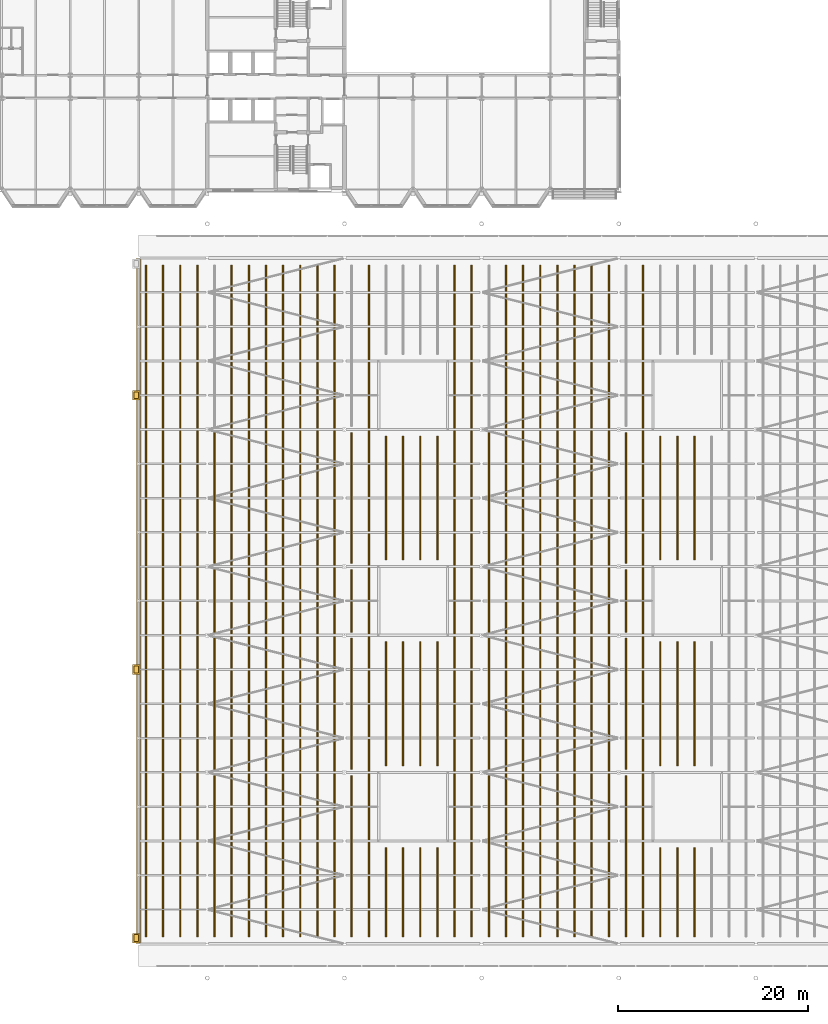
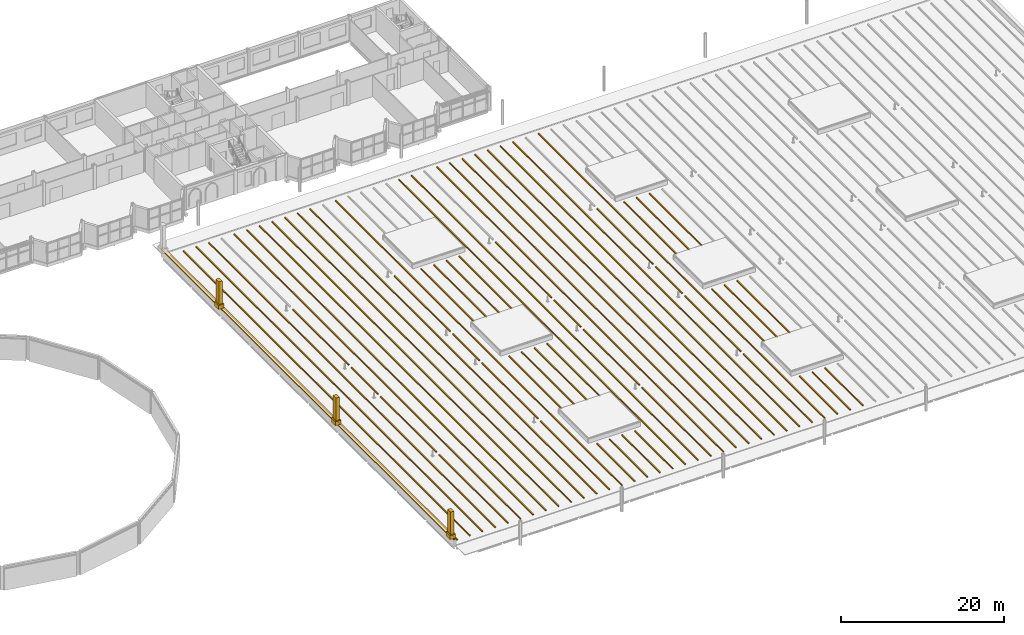
# One storey, part 112 of 120: 66 coverings.
"""IFC4 building model written with IfcOpenShell, lengths in metres."""

from ifc_helpers import new_model, si_unit, direction, frame, origin, origin_2d, place, context, subcontext, project, spatial, rectangle, extrude, material, layer, layer_set, type_object, element, save


model = new_model("IFC4")

# Units and contexts
model_context = context("Model", 3, precision=1e-05, world=origin(), true_north=direction((0.0, 1.0)))
body_context = subcontext(model_context, "Body", "Model", "MODEL_VIEW")
ifc_project = project(units=[si_unit("LENGTHUNIT", "METRE"), si_unit("AREAUNIT", "SQUARE_METRE"), si_unit("VOLUMEUNIT", "CUBIC_METRE"), si_unit("PLANEANGLEUNIT", "RADIAN"), si_unit("MASSUNIT", "GRAM", prefix="KILO")], contexts=[model_context])

# Site, building, storey
site_placement = place(None, origin())
site = spatial("IfcSite", under=ifc_project, at=site_placement, CompositionType="ELEMENT")
building_placement = place(site_placement, origin())
building = spatial("IfcBuilding", under=site, at=building_placement, Name="Kupolbacken Congress Centre", CompositionType="ELEMENT")
storey_placement = place(building_placement, frame((0.0, 0.0, 21.60009765625)))
storey = spatial("IfcBuildingStorey", under=building, at=storey_placement, Name="L06", CompositionType="ELEMENT", Elevation=21.60009765625)

# Coverings
ifc_material_1 = material(Name="Limestone cladding", Category="masonry")
ifc_layer_1 = layer(ifc_material_1, 0.14990234375)
ifc_layer_set_1 = layer_set([ifc_layer_1], Name="Limestone cladding")
covering_type_1 = type_object("IfcCoveringType", Name="CV11 limestone parapet coping 150", PredefinedType="CLADDING", material=ifc_layer_set_1)
covering_1_placement = place(storey_placement, frame((86.39990234375, 79.199951171875, 1.099853515625), z_axis=(0.0, 0.0, 1.0), x_axis=(0.0, 1.0, 0.0)))
element("IfcCovering", 1, at=covering_1_placement, inside=storey, type_object=covering_type_1, Name="F/HR/coping/W", PredefinedType="CLADDING", context=body_context, shape_type="SweptSolid", body=[
    extrude(rectangle(XDim=72.0, YDim=0.5, at=origin_2d()), origin(), (0.0, 0.0, 1.0), 0.14990234375),
])
ifc_material_2 = material(Name="Standing seam zinc roofing on boarding", Category="metal")
ifc_layer_2 = layer(ifc_material_2, 0.080078125)
ifc_layer_set_2 = layer_set([ifc_layer_2], Name="Standing seam zinc roofing on boarding")
covering_type_2 = type_object("IfcCoveringType", Name="CV12 standing seam roof rib 80", PredefinedType="ROOFING", material=ifc_layer_set_2)
for number, where, z_axis, x_axis, name in (
    (2, (87.159912109375, 79.199951171875, 0.27001953125), (0.0, 0.0, 1.0), (0.0, 1.0, 0.0), "F/HR/rib/00/0"),
    (3, (88.9599609375, 79.199951171875, 0.27001953125), (0.0, 0.0, 1.0), (0.0, 1.0, 0.0), "F/HR/rib/01/0"),
    (4, (90.760009765625, 79.199951171875, 0.27001953125), (0.0, 0.0, 1.0), (0.0, 1.0, 0.0), "F/HR/rib/02/0"),
    (5, (92.56005859375, 79.199951171875, 0.27001953125), (0.0, 0.0, 1.0), (0.0, 1.0, 0.0), "F/HR/rib/03/0"),
):
    element("IfcCovering", number, at=place(storey_placement, frame(where, z_axis=z_axis, x_axis=x_axis)), inside=storey, type_object=covering_type_2, Name=name, PredefinedType="ROOFING", context=body_context, shape_type="SweptSolid", body=[
        extrude(rectangle(XDim=70.47998046875, YDim=0.14990234375, at=origin_2d()), origin(), (0.0, 0.0, 1.0), 0.14990234375),
    ])
covering_2_placement = place(storey_placement, frame((94.360107421875, 52.41455078125, 0.27001953125), z_axis=(0.0, 0.0, 1.0), x_axis=(0.0, 1.0, 0.0)))
element("IfcCovering", 6, at=covering_2_placement, inside=storey, type_object=covering_type_2, Name="F/HR/rib/04/0", PredefinedType="ROOFING", context=body_context, shape_type="SweptSolid", body=[
    extrude(rectangle(XDim=16.9091796875, YDim=0.14990234375, at=origin_2d()), origin(), (0.0, 0.0, 1.0), 0.14990234375),
])
covering_3_placement = place(storey_placement, frame((94.360107421875, 68.39990234375, 0.27001953125), z_axis=(0.0, 0.0, 1.0), x_axis=(0.0, 1.0, 0.0)))
element("IfcCovering", 7, at=covering_3_placement, inside=storey, type_object=covering_type_2, Name="F/HR/rib/04/1", PredefinedType="ROOFING", context=body_context, shape_type="SweptSolid", body=[
    extrude(rectangle(XDim=13.73828125, YDim=0.14990234375, at=origin_2d()), origin(), (0.0, 0.0, 1.0), 0.14990234375),
])
covering_4_placement = place(storey_placement, frame((94.360107421875, 79.199951171875, 0.27001953125), z_axis=(0.0, 0.0, 1.0), x_axis=(0.0, 1.0, 0.0)))
element("IfcCovering", 8, at=covering_4_placement, inside=storey, type_object=covering_type_2, Name="F/HR/rib/04/2", PredefinedType="ROOFING", context=body_context, shape_type="SweptSolid", body=[
    extrude(rectangle(XDim=6.538330078125, YDim=0.14990234375, at=origin_2d()), origin(), (0.0, 0.0, 1.0), 0.14990234375),
])
covering_5_placement = place(storey_placement, frame((94.360107421875, 90.0, 0.27001953125), z_axis=(0.0, 0.0, 1.0), x_axis=(0.0, 1.0, 0.0)))
element("IfcCovering", 9, at=covering_5_placement, inside=storey, type_object=covering_type_2, Name="F/HR/rib/04/3", PredefinedType="ROOFING", context=body_context, shape_type="SweptSolid", body=[
    extrude(rectangle(XDim=13.73828125, YDim=0.14990234375, at=origin_2d()), origin(), (0.0, 0.0, 1.0), 0.14990234375),
])
for number, where, z_axis, x_axis, name in (
    (10, (96.159912109375, 79.199951171875, 0.27001953125), (0.0, 0.0, 1.0), (0.0, 1.0, 0.0), "F/HR/rib/05/0"),
    (11, (97.9599609375, 79.199951171875, 0.27001953125), (0.0, 0.0, 1.0), (0.0, 1.0, 0.0), "F/HR/rib/06/0"),
    (12, (99.760009765625, 79.199951171875, 0.27001953125), (0.0, 0.0, 1.0), (0.0, 1.0, 0.0), "F/HR/rib/07/0"),
    (13, (101.56005859375, 79.199951171875, 0.27001953125), (0.0, 0.0, 1.0), (0.0, 1.0, 0.0), "F/HR/rib/08/0"),
    (14, (103.360107421875, 79.199951171875, 0.27001953125), (0.0, 0.0, 1.0), (0.0, 1.0, 0.0), "F/HR/rib/09/0"),
    (15, (105.159912109375, 79.199951171875, 0.27001953125), (0.0, 0.0, 1.0), (0.0, 1.0, 0.0), "F/HR/rib/10/0"),
    (16, (106.9599609375, 79.199951171875, 0.27001953125), (0.0, 0.0, 1.0), (0.0, 1.0, 0.0), "F/HR/rib/11/0"),
):
    element("IfcCovering", number, at=place(storey_placement, frame(where, z_axis=z_axis, x_axis=x_axis)), inside=storey, type_object=covering_type_2, Name=name, PredefinedType="ROOFING", context=body_context, shape_type="SweptSolid", body=[
        extrude(rectangle(XDim=70.47998046875, YDim=0.14990234375, at=origin_2d()), origin(), (0.0, 0.0, 1.0), 0.14990234375),
    ])
covering_6_placement = place(storey_placement, frame((108.760009765625, 52.41455078125, 0.27001953125), z_axis=(0.0, 0.0, 1.0), x_axis=(0.0, 1.0, 0.0)))
element("IfcCovering", 17, at=covering_6_placement, inside=storey, type_object=covering_type_2, Name="F/HR/rib/12/0", PredefinedType="ROOFING", context=body_context, shape_type="SweptSolid", body=[
    extrude(rectangle(XDim=16.9091796875, YDim=0.14990234375, at=origin_2d()), origin(), (0.0, 0.0, 1.0), 0.14990234375),
])
covering_7_placement = place(storey_placement, frame((108.760009765625, 68.39990234375, 0.27001953125), z_axis=(0.0, 0.0, 1.0), x_axis=(0.0, 1.0, 0.0)))
element("IfcCovering", 18, at=covering_7_placement, inside=storey, type_object=covering_type_2, Name="F/HR/rib/12/1", PredefinedType="ROOFING", context=body_context, shape_type="SweptSolid", body=[
    extrude(rectangle(XDim=13.73828125, YDim=0.14990234375, at=origin_2d()), origin(), (0.0, 0.0, 1.0), 0.14990234375),
])
covering_8_placement = place(storey_placement, frame((108.760009765625, 79.199951171875, 0.27001953125), z_axis=(0.0, 0.0, 1.0), x_axis=(0.0, 1.0, 0.0)))
element("IfcCovering", 19, at=covering_8_placement, inside=storey, type_object=covering_type_2, Name="F/HR/rib/12/2", PredefinedType="ROOFING", context=body_context, shape_type="SweptSolid", body=[
    extrude(rectangle(XDim=6.538330078125, YDim=0.14990234375, at=origin_2d()), origin(), (0.0, 0.0, 1.0), 0.14990234375),
])
covering_9_placement = place(storey_placement, frame((108.760009765625, 90.0, 0.27001953125), z_axis=(0.0, 0.0, 1.0), x_axis=(0.0, 1.0, 0.0)))
element("IfcCovering", 20, at=covering_9_placement, inside=storey, type_object=covering_type_2, Name="F/HR/rib/12/3", PredefinedType="ROOFING", context=body_context, shape_type="SweptSolid", body=[
    extrude(rectangle(XDim=13.73828125, YDim=0.14990234375, at=origin_2d()), origin(), (0.0, 0.0, 1.0), 0.14990234375),
])
covering_10_placement = place(storey_placement, frame((110.56005859375, 79.199951171875, 0.27001953125), z_axis=(0.0, 0.0, 1.0), x_axis=(0.0, 1.0, 0.0)))
element("IfcCovering", 21, at=covering_10_placement, inside=storey, type_object=covering_type_2, Name="F/HR/rib/13/0", PredefinedType="ROOFING", context=body_context, shape_type="SweptSolid", body=[
    extrude(rectangle(XDim=70.47998046875, YDim=0.14990234375, at=origin_2d()), origin(), (0.0, 0.0, 1.0), 0.14990234375),
])
covering_11_placement = place(storey_placement, frame((112.360107421875, 48.625, 0.27001953125), z_axis=(0.0, 0.0, 1.0), x_axis=(0.0, 1.0, 0.0)))
element("IfcCovering", 22, at=covering_11_placement, inside=storey, type_object=covering_type_2, Name="F/HR/rib/14/0", PredefinedType="ROOFING", context=body_context, shape_type="SweptSolid", body=[
    extrude(rectangle(XDim=9.330078125, YDim=0.14990234375, at=origin_2d()), origin(), (0.0, 0.0, 1.0), 0.14990234375),
])
for number, where, z_axis, x_axis, name in (
    (23, (112.360107421875, 68.39990234375, 0.27001953125), (0.0, 0.0, 1.0), (0.0, 1.0, 0.0), "F/HR/rib/14/1"),
    (24, (112.360107421875, 90.0, 0.27001953125), (0.0, 0.0, 1.0), (0.0, 1.0, 0.0), "F/HR/rib/14/2"),
):
    element("IfcCovering", number, at=place(storey_placement, frame(where, z_axis=z_axis, x_axis=x_axis)), inside=storey, type_object=covering_type_2, Name=name, PredefinedType="ROOFING", context=body_context, shape_type="SweptSolid", body=[
        extrude(rectangle(XDim=12.97998046875, YDim=0.14990234375, at=origin_2d()), origin(), (0.0, 0.0, 1.0), 0.14990234375),
    ])
covering_12_placement = place(storey_placement, frame((114.159912109375, 48.625, 0.27001953125), z_axis=(0.0, 0.0, 1.0), x_axis=(0.0, 1.0, 0.0)))
element("IfcCovering", 25, at=covering_12_placement, inside=storey, type_object=covering_type_2, Name="F/HR/rib/15/0", PredefinedType="ROOFING", context=body_context, shape_type="SweptSolid", body=[
    extrude(rectangle(XDim=9.330078125, YDim=0.14990234375, at=origin_2d()), origin(), (0.0, 0.0, 1.0), 0.14990234375),
])
for number, where, z_axis, x_axis, name in (
    (26, (114.159912109375, 68.39990234375, 0.27001953125), (0.0, 0.0, 1.0), (0.0, 1.0, 0.0), "F/HR/rib/15/1"),
    (27, (114.159912109375, 90.0, 0.27001953125), (0.0, 0.0, 1.0), (0.0, 1.0, 0.0), "F/HR/rib/15/2"),
):
    element("IfcCovering", number, at=place(storey_placement, frame(where, z_axis=z_axis, x_axis=x_axis)), inside=storey, type_object=covering_type_2, Name=name, PredefinedType="ROOFING", context=body_context, shape_type="SweptSolid", body=[
        extrude(rectangle(XDim=12.97998046875, YDim=0.14990234375, at=origin_2d()), origin(), (0.0, 0.0, 1.0), 0.14990234375),
    ])
covering_13_placement = place(storey_placement, frame((115.9599609375, 48.625, 0.27001953125), z_axis=(0.0, 0.0, 1.0), x_axis=(0.0, 1.0, 0.0)))
element("IfcCovering", 28, at=covering_13_placement, inside=storey, type_object=covering_type_2, Name="F/HR/rib/16/0", PredefinedType="ROOFING", context=body_context, shape_type="SweptSolid", body=[
    extrude(rectangle(XDim=9.330078125, YDim=0.14990234375, at=origin_2d()), origin(), (0.0, 0.0, 1.0), 0.14990234375),
])
for number, where, z_axis, x_axis, name in (
    (29, (115.9599609375, 68.39990234375, 0.27001953125), (0.0, 0.0, 1.0), (0.0, 1.0, 0.0), "F/HR/rib/16/1"),
    (30, (115.9599609375, 90.0, 0.27001953125), (0.0, 0.0, 1.0), (0.0, 1.0, 0.0), "F/HR/rib/16/2"),
):
    element("IfcCovering", number, at=place(storey_placement, frame(where, z_axis=z_axis, x_axis=x_axis)), inside=storey, type_object=covering_type_2, Name=name, PredefinedType="ROOFING", context=body_context, shape_type="SweptSolid", body=[
        extrude(rectangle(XDim=12.97998046875, YDim=0.14990234375, at=origin_2d()), origin(), (0.0, 0.0, 1.0), 0.14990234375),
    ])
covering_14_placement = place(storey_placement, frame((117.760009765625, 48.625, 0.27001953125), z_axis=(0.0, 0.0, 1.0), x_axis=(0.0, 1.0, 0.0)))
element("IfcCovering", 31, at=covering_14_placement, inside=storey, type_object=covering_type_2, Name="F/HR/rib/17/0", PredefinedType="ROOFING", context=body_context, shape_type="SweptSolid", body=[
    extrude(rectangle(XDim=9.330078125, YDim=0.14990234375, at=origin_2d()), origin(), (0.0, 0.0, 1.0), 0.14990234375),
])
for number, where, z_axis, x_axis, name in (
    (32, (117.760009765625, 68.39990234375, 0.27001953125), (0.0, 0.0, 1.0), (0.0, 1.0, 0.0), "F/HR/rib/17/1"),
    (33, (117.760009765625, 90.0, 0.27001953125), (0.0, 0.0, 1.0), (0.0, 1.0, 0.0), "F/HR/rib/17/2"),
):
    element("IfcCovering", number, at=place(storey_placement, frame(where, z_axis=z_axis, x_axis=x_axis)), inside=storey, type_object=covering_type_2, Name=name, PredefinedType="ROOFING", context=body_context, shape_type="SweptSolid", body=[
        extrude(rectangle(XDim=12.97998046875, YDim=0.14990234375, at=origin_2d()), origin(), (0.0, 0.0, 1.0), 0.14990234375),
    ])
for number, where, z_axis, x_axis, name in (
    (34, (119.56005859375, 79.199951171875, 0.27001953125), (0.0, 0.0, 1.0), (0.0, 1.0, 0.0), "F/HR/rib/18/0"),
    (35, (121.360107421875, 79.199951171875, 0.27001953125), (0.0, 0.0, 1.0), (0.0, 1.0, 0.0), "F/HR/rib/19/0"),
):
    element("IfcCovering", number, at=place(storey_placement, frame(where, z_axis=z_axis, x_axis=x_axis)), inside=storey, type_object=covering_type_2, Name=name, PredefinedType="ROOFING", context=body_context, shape_type="SweptSolid", body=[
        extrude(rectangle(XDim=70.47998046875, YDim=0.14990234375, at=origin_2d()), origin(), (0.0, 0.0, 1.0), 0.14990234375),
    ])
covering_15_placement = place(storey_placement, frame((123.159912109375, 52.41455078125, 0.27001953125), z_axis=(0.0, 0.0, 1.0), x_axis=(0.0, 1.0, 0.0)))
element("IfcCovering", 36, at=covering_15_placement, inside=storey, type_object=covering_type_2, Name="F/HR/rib/20/0", PredefinedType="ROOFING", context=body_context, shape_type="SweptSolid", body=[
    extrude(rectangle(XDim=16.9091796875, YDim=0.14990234375, at=origin_2d()), origin(), (0.0, 0.0, 1.0), 0.14990234375),
])
covering_16_placement = place(storey_placement, frame((123.159912109375, 68.39990234375, 0.27001953125), z_axis=(0.0, 0.0, 1.0), x_axis=(0.0, 1.0, 0.0)))
element("IfcCovering", 37, at=covering_16_placement, inside=storey, type_object=covering_type_2, Name="F/HR/rib/20/1", PredefinedType="ROOFING", context=body_context, shape_type="SweptSolid", body=[
    extrude(rectangle(XDim=13.73828125, YDim=0.14990234375, at=origin_2d()), origin(), (0.0, 0.0, 1.0), 0.14990234375),
])
covering_17_placement = place(storey_placement, frame((123.159912109375, 79.199951171875, 0.27001953125), z_axis=(0.0, 0.0, 1.0), x_axis=(0.0, 1.0, 0.0)))
element("IfcCovering", 38, at=covering_17_placement, inside=storey, type_object=covering_type_2, Name="F/HR/rib/20/2", PredefinedType="ROOFING", context=body_context, shape_type="SweptSolid", body=[
    extrude(rectangle(XDim=6.538330078125, YDim=0.14990234375, at=origin_2d()), origin(), (0.0, 0.0, 1.0), 0.14990234375),
])
covering_18_placement = place(storey_placement, frame((123.159912109375, 90.0, 0.27001953125), z_axis=(0.0, 0.0, 1.0), x_axis=(0.0, 1.0, 0.0)))
element("IfcCovering", 39, at=covering_18_placement, inside=storey, type_object=covering_type_2, Name="F/HR/rib/20/3", PredefinedType="ROOFING", context=body_context, shape_type="SweptSolid", body=[
    extrude(rectangle(XDim=13.73828125, YDim=0.14990234375, at=origin_2d()), origin(), (0.0, 0.0, 1.0), 0.14990234375),
])
for number, where, z_axis, x_axis, name in (
    (40, (124.9599609375, 79.199951171875, 0.27001953125), (0.0, 0.0, 1.0), (0.0, 1.0, 0.0), "F/HR/rib/21/0"),
    (41, (126.760009765625, 79.199951171875, 0.27001953125), (0.0, 0.0, 1.0), (0.0, 1.0, 0.0), "F/HR/rib/22/0"),
    (42, (128.56005859375, 79.199951171875, 0.27001953125), (0.0, 0.0, 1.0), (0.0, 1.0, 0.0), "F/HR/rib/23/0"),
    (43, (130.360107421875, 79.199951171875, 0.27001953125), (0.0, 0.0, 1.0), (0.0, 1.0, 0.0), "F/HR/rib/24/0"),
    (44, (132.159912109375, 79.199951171875, 0.27001953125), (0.0, 0.0, 1.0), (0.0, 1.0, 0.0), "F/HR/rib/25/0"),
    (45, (133.9599609375, 79.199951171875, 0.27001953125), (0.0, 0.0, 1.0), (0.0, 1.0, 0.0), "F/HR/rib/26/0"),
    (46, (135.760009765625, 79.199951171875, 0.27001953125), (0.0, 0.0, 1.0), (0.0, 1.0, 0.0), "F/HR/rib/27/0"),
):
    element("IfcCovering", number, at=place(storey_placement, frame(where, z_axis=z_axis, x_axis=x_axis)), inside=storey, type_object=covering_type_2, Name=name, PredefinedType="ROOFING", context=body_context, shape_type="SweptSolid", body=[
        extrude(rectangle(XDim=70.47998046875, YDim=0.14990234375, at=origin_2d()), origin(), (0.0, 0.0, 1.0), 0.14990234375),
    ])
covering_19_placement = place(storey_placement, frame((137.56005859375, 52.41455078125, 0.27001953125), z_axis=(0.0, 0.0, 1.0), x_axis=(0.0, 1.0, 0.0)))
element("IfcCovering", 47, at=covering_19_placement, inside=storey, type_object=covering_type_2, Name="F/HR/rib/28/0", PredefinedType="ROOFING", context=body_context, shape_type="SweptSolid", body=[
    extrude(rectangle(XDim=16.9091796875, YDim=0.14990234375, at=origin_2d()), origin(), (0.0, 0.0, 1.0), 0.14990234375),
])
covering_20_placement = place(storey_placement, frame((137.56005859375, 68.39990234375, 0.27001953125), z_axis=(0.0, 0.0, 1.0), x_axis=(0.0, 1.0, 0.0)))
element("IfcCovering", 48, at=covering_20_placement, inside=storey, type_object=covering_type_2, Name="F/HR/rib/28/1", PredefinedType="ROOFING", context=body_context, shape_type="SweptSolid", body=[
    extrude(rectangle(XDim=13.73828125, YDim=0.14990234375, at=origin_2d()), origin(), (0.0, 0.0, 1.0), 0.14990234375),
])
covering_21_placement = place(storey_placement, frame((137.56005859375, 79.199951171875, 0.27001953125), z_axis=(0.0, 0.0, 1.0), x_axis=(0.0, 1.0, 0.0)))
element("IfcCovering", 49, at=covering_21_placement, inside=storey, type_object=covering_type_2, Name="F/HR/rib/28/2", PredefinedType="ROOFING", context=body_context, shape_type="SweptSolid", body=[
    extrude(rectangle(XDim=6.538330078125, YDim=0.14990234375, at=origin_2d()), origin(), (0.0, 0.0, 1.0), 0.14990234375),
])
covering_22_placement = place(storey_placement, frame((137.56005859375, 90.0, 0.27001953125), z_axis=(0.0, 0.0, 1.0), x_axis=(0.0, 1.0, 0.0)))
element("IfcCovering", 50, at=covering_22_placement, inside=storey, type_object=covering_type_2, Name="F/HR/rib/28/3", PredefinedType="ROOFING", context=body_context, shape_type="SweptSolid", body=[
    extrude(rectangle(XDim=13.73828125, YDim=0.14990234375, at=origin_2d()), origin(), (0.0, 0.0, 1.0), 0.14990234375),
])
covering_23_placement = place(storey_placement, frame((139.360107421875, 79.199951171875, 0.27001953125), z_axis=(0.0, 0.0, 1.0), x_axis=(0.0, 1.0, 0.0)))
element("IfcCovering", 51, at=covering_23_placement, inside=storey, type_object=covering_type_2, Name="F/HR/rib/29/0", PredefinedType="ROOFING", context=body_context, shape_type="SweptSolid", body=[
    extrude(rectangle(XDim=70.47998046875, YDim=0.14990234375, at=origin_2d()), origin(), (0.0, 0.0, 1.0), 0.14990234375),
])
covering_24_placement = place(storey_placement, frame((141.159912109375, 48.625, 0.27001953125), z_axis=(0.0, 0.0, 1.0), x_axis=(0.0, 1.0, 0.0)))
element("IfcCovering", 52, at=covering_24_placement, inside=storey, type_object=covering_type_2, Name="F/HR/rib/30/0", PredefinedType="ROOFING", context=body_context, shape_type="SweptSolid", body=[
    extrude(rectangle(XDim=9.330078125, YDim=0.14990234375, at=origin_2d()), origin(), (0.0, 0.0, 1.0), 0.14990234375),
])
for number, where, z_axis, x_axis, name in (
    (53, (141.159912109375, 68.39990234375, 0.27001953125), (0.0, 0.0, 1.0), (0.0, 1.0, 0.0), "F/HR/rib/30/1"),
    (54, (141.159912109375, 90.0, 0.27001953125), (0.0, 0.0, 1.0), (0.0, 1.0, 0.0), "F/HR/rib/30/2"),
):
    element("IfcCovering", number, at=place(storey_placement, frame(where, z_axis=z_axis, x_axis=x_axis)), inside=storey, type_object=covering_type_2, Name=name, PredefinedType="ROOFING", context=body_context, shape_type="SweptSolid", body=[
        extrude(rectangle(XDim=12.97998046875, YDim=0.14990234375, at=origin_2d()), origin(), (0.0, 0.0, 1.0), 0.14990234375),
    ])
covering_25_placement = place(storey_placement, frame((142.9599609375, 48.625, 0.27001953125), z_axis=(0.0, 0.0, 1.0), x_axis=(0.0, 1.0, 0.0)))
element("IfcCovering", 55, at=covering_25_placement, inside=storey, type_object=covering_type_2, Name="F/HR/rib/31/0", PredefinedType="ROOFING", context=body_context, shape_type="SweptSolid", body=[
    extrude(rectangle(XDim=9.330078125, YDim=0.14990234375, at=origin_2d()), origin(), (0.0, 0.0, 1.0), 0.14990234375),
])
for number, where, z_axis, x_axis, name in (
    (56, (142.9599609375, 68.39990234375, 0.27001953125), (0.0, 0.0, 1.0), (0.0, 1.0, 0.0), "F/HR/rib/31/1"),
    (57, (142.9599609375, 90.0, 0.27001953125), (0.0, 0.0, 1.0), (0.0, 1.0, 0.0), "F/HR/rib/31/2"),
):
    element("IfcCovering", number, at=place(storey_placement, frame(where, z_axis=z_axis, x_axis=x_axis)), inside=storey, type_object=covering_type_2, Name=name, PredefinedType="ROOFING", context=body_context, shape_type="SweptSolid", body=[
        extrude(rectangle(XDim=12.97998046875, YDim=0.14990234375, at=origin_2d()), origin(), (0.0, 0.0, 1.0), 0.14990234375),
    ])
covering_26_placement = place(storey_placement, frame((144.760009765625, 48.625, 0.27001953125), z_axis=(0.0, 0.0, 1.0), x_axis=(0.0, 1.0, 0.0)))
element("IfcCovering", 58, at=covering_26_placement, inside=storey, type_object=covering_type_2, Name="F/HR/rib/32/0", PredefinedType="ROOFING", context=body_context, shape_type="SweptSolid", body=[
    extrude(rectangle(XDim=9.330078125, YDim=0.14990234375, at=origin_2d()), origin(), (0.0, 0.0, 1.0), 0.14990234375),
])
for number, where, z_axis, x_axis, name in (
    (59, (144.760009765625, 68.39990234375, 0.27001953125), (0.0, 0.0, 1.0), (0.0, 1.0, 0.0), "F/HR/rib/32/1"),
    (60, (144.760009765625, 90.0, 0.27001953125), (0.0, 0.0, 1.0), (0.0, 1.0, 0.0), "F/HR/rib/32/2"),
):
    element("IfcCovering", number, at=place(storey_placement, frame(where, z_axis=z_axis, x_axis=x_axis)), inside=storey, type_object=covering_type_2, Name=name, PredefinedType="ROOFING", context=body_context, shape_type="SweptSolid", body=[
        extrude(rectangle(XDim=12.97998046875, YDim=0.14990234375, at=origin_2d()), origin(), (0.0, 0.0, 1.0), 0.14990234375),
    ])
ifc_material_3 = material(Name="Limestone cladding", Category="masonry")
ifc_layer_3 = layer(ifc_material_3, 0.5)
ifc_layer_set_3 = layer_set([ifc_layer_3], Name="Limestone cladding")
covering_type_3 = type_object("IfcCoveringType", Name="CV8 limestone drum pier 500", PredefinedType="CLADDING", material=ifc_layer_set_3)
covering_27_placement = place(storey_placement, frame((86.14990234375, 43.800048828125, 1.249755859375), z_axis=(0.0, 0.0, 1.0), x_axis=(0.0, 1.0, 0.0)))
element("IfcCovering", 61, at=covering_27_placement, inside=storey, type_object=covering_type_3, Name="F/HR/pin/W/00/base", PredefinedType="CLADDING", context=body_context, shape_type="SweptSolid", body=[
    extrude(rectangle(XDim=1.0, YDim=0.800048828125, at=origin_2d()), origin(), (0.0, 0.0, 1.0), 0.60009765625),
])
covering_28_placement = place(storey_placement, frame((86.14990234375, 43.800048828125, 1.849853515625), z_axis=(0.0, 0.0, 1.0), x_axis=(0.0, 1.0, 0.0)))
element("IfcCovering", 62, at=covering_28_placement, inside=storey, type_object=covering_type_3, Name="F/HR/pin/W/00/shaft", PredefinedType="CLADDING", context=body_context, shape_type="SweptSolid", body=[
    extrude(rectangle(XDim=0.699951171875, YDim=0.5, at=origin_2d()), origin(), (0.0, 0.0, 1.0), 3.39990234375),
])
covering_29_placement = place(storey_placement, frame((86.14990234375, 72.0, 1.249755859375), z_axis=(0.0, 0.0, 1.0), x_axis=(0.0, 1.0, 0.0)))
element("IfcCovering", 63, at=covering_29_placement, inside=storey, type_object=covering_type_3, Name="F/HR/pin/W/01/base", PredefinedType="CLADDING", context=body_context, shape_type="SweptSolid", body=[
    extrude(rectangle(XDim=1.0, YDim=0.800048828125, at=origin_2d()), origin(), (0.0, 0.0, 1.0), 0.60009765625),
])
covering_30_placement = place(storey_placement, frame((86.14990234375, 72.0, 1.849853515625), z_axis=(0.0, 0.0, 1.0), x_axis=(0.0, 1.0, 0.0)))
element("IfcCovering", 64, at=covering_30_placement, inside=storey, type_object=covering_type_3, Name="F/HR/pin/W/01/shaft", PredefinedType="CLADDING", context=body_context, shape_type="SweptSolid", body=[
    extrude(rectangle(XDim=0.699951171875, YDim=0.5, at=origin_2d()), origin(), (0.0, 0.0, 1.0), 3.39990234375),
])
covering_31_placement = place(storey_placement, frame((86.14990234375, 100.800048828125, 1.249755859375), z_axis=(0.0, 0.0, 1.0), x_axis=(0.0, 1.0, 0.0)))
element("IfcCovering", 65, at=covering_31_placement, inside=storey, type_object=covering_type_3, Name="F/HR/pin/W/02/base", PredefinedType="CLADDING", context=body_context, shape_type="SweptSolid", body=[
    extrude(rectangle(XDim=1.0, YDim=0.800048828125, at=origin_2d()), origin(), (0.0, 0.0, 1.0), 0.60009765625),
])
covering_32_placement = place(storey_placement, frame((86.14990234375, 100.800048828125, 1.849853515625), z_axis=(0.0, 0.0, 1.0), x_axis=(0.0, 1.0, 0.0)))
element("IfcCovering", 66, at=covering_32_placement, inside=storey, type_object=covering_type_3, Name="F/HR/pin/W/02/shaft", PredefinedType="CLADDING", context=body_context, shape_type="SweptSolid", body=[
    extrude(rectangle(XDim=0.699951171875, YDim=0.5, at=origin_2d()), origin(), (0.0, 0.0, 1.0), 3.39990234375),
])

save(model, "model.ifc")
